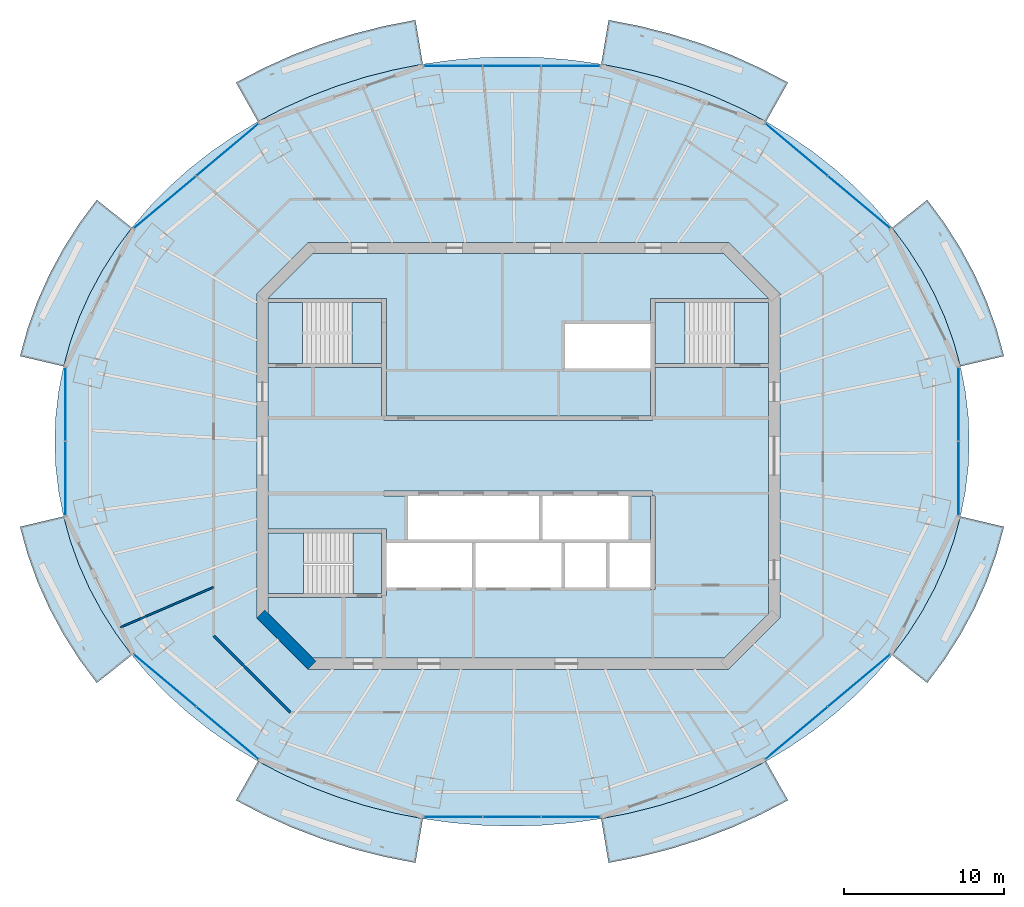
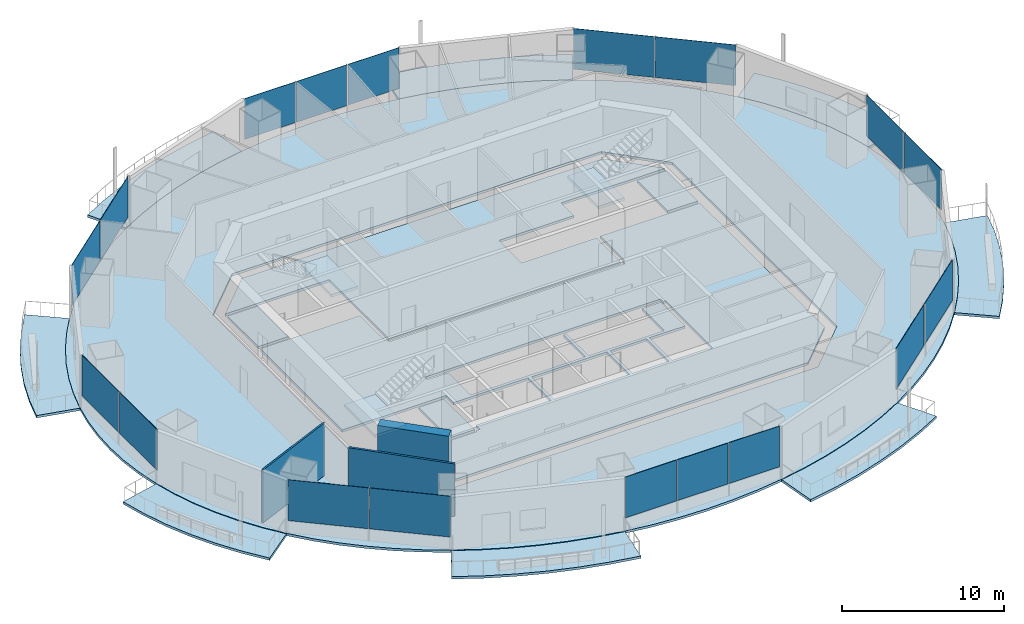
# One storey, part 7 of 16: 18 plates, 17 slabs, 3 walls, 11 elements without a shape of their own.
"""IFC4 building model written with IfcOpenShell, lengths in metres."""

from ifc_helpers import new_model, si_unit, direction, frame, frame_2d, origin, origin_2d, place, context, subcontext, project, spatial, polyline, rectangle, outline, extrude, material, layer, layer_set, type_object, element, aggregate, save


model = new_model("IFC4")

# Units and contexts
model_context = context("Model", 3, precision=1e-05, world=origin(), true_north=direction((0.0, 1.0)))
body_context = subcontext(model_context, "Body", "Model", "MODEL_VIEW")
ifc_project = project(units=[si_unit("LENGTHUNIT", "METRE"), si_unit("AREAUNIT", "SQUARE_METRE"), si_unit("VOLUMEUNIT", "CUBIC_METRE"), si_unit("PLANEANGLEUNIT", "RADIAN"), si_unit("MASSUNIT", "GRAM", prefix="KILO")], contexts=[model_context])

# Site, building, storey
site_placement = place(None, origin())
site = spatial("IfcSite", under=ifc_project, at=site_placement, CompositionType="ELEMENT")
building_placement = place(site_placement, origin())
building = spatial("IfcBuilding", under=site, at=building_placement, Name="Marenthal Gate Tower", CompositionType="ELEMENT")
storey_placement = place(building_placement, frame((0.0, 0.0, 296.949951171875)))
storey = spatial("IfcBuildingStorey", under=building, at=storey_placement, Name="L66", CompositionType="ELEMENT", Elevation=296.949951171875)

# Slabs
ifc_material_1 = material(Name="Concrete 40 MPa", Category="concrete")
ifc_layer_1 = layer(ifc_material_1, 0.179931640625)
ifc_layer_set_1 = layer_set([ifc_layer_1], Name="Balcony deck 180")
slab_type_1 = type_object("IfcSlabType", Name="Balcony deck 180", PredefinedType="USERDEFINED", material=ifc_layer_set_1)
slab_1_placement = place(storey_placement, frame((0.0, 0.0, -0.219970703125)))
element("IfcSlab", 1, at=slab_1_placement, inside=storey, type_object=slab_type_1, Name="Balcony deck L66 bay 1", ObjectType="BALCONY", PredefinedType="USERDEFINED", context=body_context, shape_type="SweptSolid", body=[
    extrude(outline(polyline([(27.646484375, 5.593505859375), (27.2216796875, 7.126708984375), (26.678466796875, 8.63330078125), (26.019287109375, 10.106689453125), (25.2470703125, 11.54052734375), (24.364990234375, 12.928955078125), (23.376708984375, 14.265869140625), (25.5693359375, 16.00732421875), (26.673583984375, 14.513427734375), (27.66259765625, 12.95654296875), (28.53125, 11.343505859375), (29.27490234375, 9.680908203125), (29.8896484375, 7.976318359375), (30.371337890625, 6.23779296875), (27.646484375, 5.593505859375)])), origin(), (0.0, 0.0, 1.0), 0.179931640625),
])
slab_2_placement = place(storey_placement, frame((0.0, 0.0, -0.219970703125)))
element("IfcSlab", 2, at=slab_2_placement, inside=storey, type_object=slab_type_1, Name="Balcony deck L66 bay 3", ObjectType="BALCONY", PredefinedType="USERDEFINED", context=body_context, shape_type="SweptSolid", body=[
    extrude(outline(polyline([(15.487060546875, 20.903564453125), (13.89794921875, 21.73486328125), (12.247802734375, 22.47705078125), (10.543212890625, 23.126708984375), (8.7919921875, 23.68115234375), (7.001220703125, 24.13818359375), (5.1787109375, 24.49560546875), (5.640869140625, 27.25732421875), (7.616943359375, 26.86962890625), (9.560791015625, 26.37353515625), (11.464599609375, 25.770751953125), (13.32080078125, 25.063232421875), (15.121337890625, 24.25341796875), (16.859130859375, 23.34423828125), (15.487060546875, 20.903564453125)])), origin(), (0.0, 0.0, 1.0), 0.179931640625),
])
slab_3_placement = place(storey_placement, frame((0.0, 0.0, -0.219970703125)))
element("IfcSlab", 3, at=slab_3_placement, inside=storey, type_object=slab_type_1, Name="Balcony deck L66 bay 5", ObjectType="BALCONY", PredefinedType="USERDEFINED", context=body_context, shape_type="SweptSolid", body=[
    extrude(outline(polyline([(-5.978759765625, 24.49560546875), (-7.80126953125, 24.13818359375), (-9.591796875, 23.68115234375), (-11.34326171875, 23.126708984375), (-13.047607421875, 22.47705078125), (-14.697998046875, 21.73486328125), (-16.287109375, 20.903564453125), (-17.6591796875, 23.34423828125), (-15.92138671875, 24.25341796875), (-14.12060546875, 25.063232421875), (-12.2646484375, 25.770751953125), (-10.36083984375, 26.37353515625), (-8.4169921875, 26.86962890625), (-6.44091796875, 27.25732421875), (-5.978759765625, 24.49560546875)])), origin(), (0.0, 0.0, 1.0), 0.179931640625),
])
slab_4_placement = place(storey_placement, frame((0.0, 0.0, -0.219970703125)))
element("IfcSlab", 4, at=slab_4_placement, inside=storey, type_object=slab_type_1, Name="Balcony deck L66 bay 7", ObjectType="BALCONY", PredefinedType="USERDEFINED", context=body_context, shape_type="SweptSolid", body=[
    extrude(outline(polyline([(-24.1767578125, 14.265869140625), (-25.164794921875, 12.928955078125), (-26.047119140625, 11.54052734375), (-26.8193359375, 10.106689453125), (-27.478515625, 8.63330078125), (-28.021484375, 7.126708984375), (-28.446533203125, 5.593505859375), (-31.17138671875, 6.23779296875), (-30.689453125, 7.976318359375), (-30.074951171875, 9.680908203125), (-29.331298828125, 11.343505859375), (-28.462646484375, 12.95654296875), (-27.4736328125, 14.513427734375), (-26.369384765625, 16.00732421875), (-24.1767578125, 14.265869140625)])), origin(), (0.0, 0.0, 1.0), 0.179931640625),
])
slab_5_placement = place(storey_placement, frame((0.0, 0.0, -0.219970703125)))
element("IfcSlab", 5, at=slab_5_placement, inside=storey, type_object=slab_type_1, Name="Balcony deck L66 bay 9", ObjectType="BALCONY", PredefinedType="USERDEFINED", context=body_context, shape_type="SweptSolid", body=[
    extrude(outline(polyline([(-28.446533203125, -3.79345703125), (-28.021484375, -5.32666015625), (-27.478515625, -6.833251953125), (-26.8193359375, -8.306640625), (-26.047119140625, -9.740478515625), (-25.164794921875, -11.12890625), (-24.1767578125, -12.4658203125), (-26.369384765625, -14.207275390625), (-27.4736328125, -12.71337890625), (-28.462646484375, -11.156494140625), (-29.331298828125, -9.54345703125), (-30.074951171875, -7.880859375), (-30.689453125, -6.176513671875), (-31.17138671875, -4.437744140625), (-28.446533203125, -3.79345703125)])), origin(), (0.0, 0.0, 1.0), 0.179931640625),
])
slab_6_placement = place(storey_placement, frame((0.0, 0.0, -0.219970703125)))
element("IfcSlab", 6, at=slab_6_placement, inside=storey, type_object=slab_type_1, Name="Balcony deck L66 bay 11", ObjectType="BALCONY", PredefinedType="USERDEFINED", context=body_context, shape_type="SweptSolid", body=[
    extrude(outline(polyline([(-16.287109375, -19.103515625), (-14.697998046875, -19.934814453125), (-13.047607421875, -20.677001953125), (-11.34326171875, -21.32666015625), (-9.591796875, -21.881103515625), (-7.80126953125, -22.338134765625), (-5.978759765625, -22.69580078125), (-6.44091796875, -25.457275390625), (-8.4169921875, -25.069580078125), (-10.36083984375, -24.573486328125), (-12.2646484375, -23.970703125), (-14.12060546875, -23.26318359375), (-15.92138671875, -22.453369140625), (-17.6591796875, -21.544189453125), (-16.287109375, -19.103515625)])), origin(), (0.0, 0.0, 1.0), 0.179931640625),
])
slab_7_placement = place(storey_placement, frame((0.0, 0.0, -0.219970703125)))
element("IfcSlab", 7, at=slab_7_placement, inside=storey, type_object=slab_type_1, Name="Balcony deck L66 bay 13", ObjectType="BALCONY", PredefinedType="USERDEFINED", context=body_context, shape_type="SweptSolid", body=[
    extrude(outline(polyline([(5.1787109375, -22.69580078125), (7.001220703125, -22.338134765625), (8.7919921875, -21.881103515625), (10.543212890625, -21.32666015625), (12.247802734375, -20.677001953125), (13.89794921875, -19.934814453125), (15.487060546875, -19.103515625), (16.859130859375, -21.544189453125), (15.121337890625, -22.453369140625), (13.32080078125, -23.26318359375), (11.464599609375, -23.970703125), (9.560791015625, -24.573486328125), (7.616943359375, -25.069580078125), (5.640869140625, -25.457275390625), (5.1787109375, -22.69580078125)])), origin(), (0.0, 0.0, 1.0), 0.179931640625),
])
slab_8_placement = place(storey_placement, frame((0.0, 0.0, -0.219970703125)))
element("IfcSlab", 8, at=slab_8_placement, inside=storey, type_object=slab_type_1, Name="Balcony deck L66 bay 15", ObjectType="BALCONY", PredefinedType="USERDEFINED", context=body_context, shape_type="SweptSolid", body=[
    extrude(outline(polyline([(23.376708984375, -12.4658203125), (24.364990234375, -11.12890625), (25.2470703125, -9.740478515625), (26.019287109375, -8.306640625), (26.678466796875, -6.833251953125), (27.2216796875, -5.32666015625), (27.646484375, -3.79345703125), (30.371337890625, -4.437744140625), (29.8896484375, -6.176513671875), (29.27490234375, -7.880859375), (28.53125, -9.54345703125), (27.66259765625, -11.156494140625), (26.673583984375, -12.71337890625), (25.5693359375, -14.207275390625), (23.376708984375, -12.4658203125)])), origin(), (0.0, 0.0, 1.0), 0.179931640625),
])
ifc_material_2 = material(Name="Concrete 50 MPa", Category="concrete")
ifc_layer_2 = layer(ifc_material_2, 0.179931640625)
ifc_layer_set_2 = layer_set([ifc_layer_2], Name="Core floor slab 180")
slab_type_2 = type_object("IfcSlabType", Name="Core floor slab 180", PredefinedType="FLOOR", material=ifc_layer_set_2)
slab_9_placement = place(storey_placement, frame((0.0, 0.0, -0.179931640625)))
element("IfcSlab", 9, at=slab_9_placement, inside=storey, type_object=slab_type_2, Name="Core floor L66", PredefinedType="FLOOR", context=body_context, shape_type="SweptSolid", body=[
    extrude(outline(polyline([(12.85498046875, -12.64990234375), (-12.85498046875, -12.64990234375), (-15.64990234375, -9.85498046875), (-15.64990234375, -8.875), (-8.550048828125, -8.875), (-8.550048828125, -8.75), (-8.25, -8.75), (-8.25, -8.239990234375), (-5.60009765625, -8.239990234375), (-2.909912109375, -8.239990234375), (-2.909912109375, -5.4599609375), (-5.60009765625, -5.4599609375), (-8.25, -5.4599609375), (-8.25, -4.574951171875), (-8.550048828125, -4.574951171875), (-15.64990234375, -4.574951171875), (-15.64990234375, 5.52490234375), (-8.550048828125, 5.52490234375), (-8.550048828125, 2.5), (-8.39990234375, 2.5), (-8.39990234375, 2.199951171875), (8.39990234375, 2.199951171875), (8.39990234375, 2.5), (8.550048828125, 2.5), (8.550048828125, 5.52490234375), (15.64990234375, 5.52490234375), (15.64990234375, -9.85498046875), (12.85498046875, -12.64990234375)]), holes=[polyline([(0.0, -8.239990234375), (2.68994140625, -8.239990234375), (2.68994140625, -5.4599609375), (0.0, -5.4599609375), (-2.68994140625, -5.4599609375), (-2.68994140625, -8.239990234375), (0.0, -8.239990234375)]), polyline([(1.2900390625, -5.239990234375), (1.2900390625, -2.5), (1.510009765625, -2.5), (1.510009765625, -5.239990234375), (4.199951171875, -5.239990234375), (6.889892578125, -5.239990234375), (6.889892578125, -2.5), (8.25, -2.5), (8.25, -5.4599609375), (5.7099609375, -5.4599609375), (5.7099609375, -8.239990234375), (8.25, -8.239990234375), (8.25, -8.35009765625), (8.550048828125, -8.35009765625), (8.550048828125, -2.5), (8.39990234375, -2.5), (8.39990234375, -2.199951171875), (-8.39990234375, -2.199951171875), (-8.39990234375, -2.5), (-6.889892578125, -2.5), (-6.889892578125, -5.239990234375), (-4.199951171875, -5.239990234375), (-1.39990234375, -5.239990234375), (1.2900390625, -5.239990234375)]), polyline([(5.489990234375, -5.4599609375), (2.909912109375, -5.4599609375), (2.909912109375, -8.239990234375), (5.489990234375, -8.239990234375), (5.489990234375, -5.4599609375)])]), origin(), (0.0, 0.0, 1.0), 0.179931640625),
])
slab_10_placement = place(storey_placement, frame((0.0, 0.0, -0.179931640625)))
element("IfcSlab", 10, at=slab_10_placement, inside=storey, type_object=slab_type_2, Name="Core floor L66", PredefinedType="FLOOR", context=body_context, shape_type="SweptSolid", body=[
    extrude(outline(polyline([(15.64990234375, 5.77490234375), (13.5, 5.77490234375), (13.5, 9.574951171875), (15.64990234375, 9.574951171875), (15.64990234375, 5.77490234375)])), origin(), (0.0, 0.0, 1.0), 0.179931640625),
])
slab_11_placement = place(storey_placement, frame((0.0, 0.0, -0.179931640625)))
element("IfcSlab", 11, at=slab_11_placement, inside=storey, type_object=slab_type_2, Name="Core floor L66", PredefinedType="FLOOR", context=body_context, shape_type="SweptSolid", body=[
    extrude(outline(polyline([(15.64990234375, 9.824951171875), (8.550048828125, 9.824951171875), (8.25, 9.824951171875), (8.25, 8.35009765625), (8.25, 8.239990234375), (5.60009765625, 8.239990234375), (2.909912109375, 8.239990234375), (2.909912109375, 5.4599609375), (5.60009765625, 5.4599609375), (8.25, 5.4599609375), (8.25, 2.5), (-8.25, 2.5), (-8.25, 8.35009765625), (-8.25, 9.824951171875), (-8.550048828125, 9.824951171875), (-15.64990234375, 9.824951171875), (-15.64990234375, 9.85498046875), (-12.85498046875, 12.64990234375), (12.85498046875, 12.64990234375), (15.64990234375, 9.85498046875), (15.64990234375, 9.824951171875)])), origin(), (0.0, 0.0, 1.0), 0.179931640625),
])
slab_12_placement = place(storey_placement, frame((0.0, 0.0, -0.179931640625)))
element("IfcSlab", 12, at=slab_12_placement, inside=storey, type_object=slab_type_2, Name="Core floor L66", PredefinedType="FLOOR", context=body_context, shape_type="SweptSolid", body=[
    extrude(outline(polyline([(-15.64990234375, 9.574951171875), (-13.5, 9.574951171875), (-13.5, 5.77490234375), (-15.64990234375, 5.77490234375), (-15.64990234375, 9.574951171875)])), origin(), (0.0, 0.0, 1.0), 0.179931640625),
])
slab_13_placement = place(storey_placement, frame((0.0, 0.0, -0.179931640625)))
element("IfcSlab", 13, at=slab_13_placement, inside=storey, type_object=slab_type_2, Name="Core floor L66", PredefinedType="FLOOR", context=body_context, shape_type="SweptSolid", body=[
    extrude(outline(polyline([(-8.550048828125, -4.824951171875), (-8.550048828125, -8.625), (-10.35009765625, -8.625), (-10.35009765625, -4.824951171875), (-8.550048828125, -4.824951171875)])), origin(), (0.0, 0.0, 1.0), 0.179931640625),
])
ifc_material_3 = material(Name="Concrete 35 MPa", Category="concrete")
ifc_layer_3 = layer(ifc_material_3, 0.179931640625)
ifc_layer_set_3 = layer_set([ifc_layer_3], Name="Floor slab 180")
slab_type_3 = type_object("IfcSlabType", Name="Floor slab 180", PredefinedType="FLOOR", material=ifc_layer_set_3)
slab_14_placement = place(storey_placement, frame((0.0, 0.0, -0.179931640625)))
element("IfcSlab", 14, at=slab_14_placement, inside=storey, type_object=slab_type_3, Name="SL-L66-01", PredefinedType="FLOOR", context=body_context, shape_type="SweptSolid", body=[
    extrude(outline(polyline([(28.196044921875, 0.89990234375), (28.134765625, 2.473388671875), (27.951416015625, 4.040283203125), (27.646484375, 5.593505859375), (27.2216796875, 7.126708984375), (26.678466796875, 8.63330078125), (26.019287109375, 10.106689453125), (25.2470703125, 11.54052734375), (24.364990234375, 12.928955078125), (23.376708984375, 14.265869140625), (22.28662109375, 15.545654296875), (21.099609375, 16.762451171875), (19.8203125, 17.91162109375), (18.45458984375, 18.98779296875), (17.008056640625, 19.986572265625), (15.487060546875, 20.903564453125), (13.89794921875, 21.73486328125), (12.247802734375, 22.47705078125), (10.543212890625, 23.126708984375), (8.7919921875, 23.68115234375), (7.001220703125, 24.13818359375), (5.1787109375, 24.49560546875), (3.33251953125, 24.752197265625), (1.47021484375, 24.906494140625), (-0.39990234375, 24.9580078125), (-2.270263671875, 24.906494140625), (-4.132568359375, 24.752197265625), (-5.978759765625, 24.49560546875), (-7.80126953125, 24.13818359375), (-9.591796875, 23.68115234375), (-11.34326171875, 23.126708984375), (-13.047607421875, 22.47705078125), (-14.697998046875, 21.73486328125), (-16.287109375, 20.903564453125), (-17.80810546875, 19.986572265625), (-19.254638671875, 18.98779296875), (-20.620361328125, 17.91162109375), (-21.899658203125, 16.762451171875), (-23.086669921875, 15.545654296875), (-24.1767578125, 14.265869140625), (-25.164794921875, 12.928955078125), (-26.047119140625, 11.54052734375), (-26.8193359375, 10.106689453125), (-27.478515625, 8.63330078125), (-28.021484375, 7.126708984375), (-28.446533203125, 5.593505859375), (-28.75146484375, 4.040283203125), (-28.934814453125, 2.473388671875), (-28.99609375, 0.89990234375), (-28.934814453125, -0.673583984375), (-28.75146484375, -2.240234375), (-28.446533203125, -3.79345703125), (-28.021484375, -5.32666015625), (-27.478515625, -6.833251953125), (-26.8193359375, -8.306640625), (-26.047119140625, -9.740478515625), (-25.164794921875, -11.12890625), (-24.1767578125, -12.4658203125), (-23.086669921875, -13.74560546875), (-21.899658203125, -14.96240234375), (-20.620361328125, -16.111572265625), (-19.254638671875, -17.187744140625), (-17.80810546875, -18.1865234375), (-16.287109375, -19.103515625), (-14.697998046875, -19.934814453125), (-13.047607421875, -20.677001953125), (-11.34326171875, -21.32666015625), (-9.591796875, -21.881103515625), (-7.80126953125, -22.338134765625), (-5.978759765625, -22.69580078125), (-4.132568359375, -22.9521484375), (-2.270263671875, -23.1064453125), (-0.39990234375, -23.157958984375), (1.47021484375, -23.1064453125), (3.33251953125, -22.9521484375), (5.1787109375, -22.69580078125), (7.001220703125, -22.338134765625), (8.7919921875, -21.881103515625), (10.543212890625, -21.32666015625), (12.247802734375, -20.677001953125), (13.89794921875, -19.934814453125), (15.487060546875, -19.103515625), (17.008056640625, -18.1865234375), (18.45458984375, -17.187744140625), (19.8203125, -16.111572265625), (21.099609375, -14.96240234375), (22.28662109375, -13.74560546875), (23.376708984375, -12.4658203125), (24.364990234375, -11.12890625), (25.2470703125, -9.740478515625), (26.019287109375, -8.306640625), (26.678466796875, -6.833251953125), (27.2216796875, -5.32666015625), (27.646484375, -3.79345703125), (27.951416015625, -2.240234375), (28.134765625, -0.673583984375), (28.196044921875, 0.89990234375)]), holes=[polyline([(13.14501953125, -13.35009765625), (16.35009765625, -10.14501953125), (16.35009765625, 10.14501953125), (13.14501953125, 13.35009765625), (-13.14501953125, 13.35009765625), (-16.35009765625, 10.14501953125), (-16.35009765625, -10.14501953125), (-13.14501953125, -13.35009765625), (13.14501953125, -13.35009765625)])]), origin(), (0.0, 0.0, 1.0), 0.179931640625),
])

# Curtain wall, plates
ifc_material_4 = material(Name="Aluminium and glass", Category="aluminium")
curtain_wall_type = type_object("IfcCurtainWallType", Name="Curtain wall typical high", PredefinedType="NOTDEFINED", material=ifc_material_4)
curtain_wall_1_placement = place(storey_placement, origin())
curtain_wall_1 = element("IfcCurtainWall", 15, at=curtain_wall_1_placement, inside=storey, type_object=curtain_wall_type, Name="Curtain wall L66 bay 2", PredefinedType="NOTDEFINED")
ifc_material_5 = material(Name="Glass, laminated insulating unit", Category="glass")
ifc_layer_4 = layer(ifc_material_5, 0.031982421875)
ifc_layer_set_4 = layer_set([ifc_layer_4], Name="Glass panel 32 typical high")
plate_type = type_object("IfcPlateType", Name="Glass panel 32 typical high", PredefinedType="CURTAIN_PANEL", material=ifc_layer_set_4)
plate_1_placement = place(storey_placement, frame((21.30126953125, 15.860107421875, 0.89990234375), z_axis=(0.0, 0.0, 1.0), x_axis=(-0.765462970905, 0.643479945432, 0.0)))
plate_1 = element("IfcPlate", 16, at=plate_1_placement, type_object=plate_type, Name="Glass panel L66 bay 2.1", PredefinedType="CURTAIN_PANEL", context=body_context, shape_type="SweptSolid", body=[
    extrude(rectangle(XDim=5.0419921875, YDim=0.031982421875, at=origin_2d()), origin(), (0.0, 0.0, 1.0), 3.070068359375),
])
plate_2_placement = place(storey_placement, frame((17.39599609375, 19.142822265625, 0.89990234375), z_axis=(0.0, 0.0, 1.0), x_axis=(-0.765462970905, 0.643479945432, 0.0)))
plate_2 = element("IfcPlate", 17, at=plate_2_placement, type_object=plate_type, Name="Glass panel L66 bay 2.2", PredefinedType="CURTAIN_PANEL", context=body_context, shape_type="SweptSolid", body=[
    extrude(rectangle(XDim=5.041748046875, YDim=0.031982421875, at=origin_2d()), origin(), (0.0, 0.0, 1.0), 3.070068359375),
])
aggregate(curtain_wall_1, [plate_1, plate_2])

curtain_wall_2_placement = place(storey_placement, origin())
curtain_wall_2 = element("IfcCurtainWall", 18, at=curtain_wall_2_placement, inside=storey, type_object=curtain_wall_type, Name="Curtain wall L66 bay 4", PredefinedType="NOTDEFINED")
plate_3_placement = place(storey_placement, frame((3.28369140625, 24.3779296875, 0.89990234375), z_axis=(0.0, 0.0, 1.0), x_axis=(-1.0, 0.0, 0.0)))
plate_3 = element("IfcPlate", 19, at=plate_3_placement, type_object=plate_type, Name="Glass panel L66 bay 4.1", PredefinedType="CURTAIN_PANEL", context=body_context, shape_type="SweptSolid", body=[
    extrude(rectangle(XDim=3.62353515625, YDim=0.031982421875, at=origin_2d()), origin(), (0.0, 0.0, 1.0), 3.070068359375),
])
plate_4_placement = place(storey_placement, frame((-0.39990234375, 24.3779296875, 0.89990234375), z_axis=(0.0, 0.0, 1.0), x_axis=(-1.0, 0.0, 0.0)))
plate_4 = element("IfcPlate", 20, at=plate_4_placement, type_object=plate_type, Name="Glass panel L66 bay 4.2", PredefinedType="CURTAIN_PANEL", context=body_context, shape_type="SweptSolid", body=[
    extrude(rectangle(XDim=3.62353515625, YDim=0.031982421875, at=origin_2d()), origin(), (0.0, 0.0, 1.0), 3.070068359375),
])
plate_5_placement = place(storey_placement, frame((-4.08349609375, 24.3779296875, 0.89990234375), z_axis=(0.0, 0.0, 1.0), x_axis=(-1.0, 0.0, 0.0)))
plate_5 = element("IfcPlate", 21, at=plate_5_placement, type_object=plate_type, Name="Glass panel L66 bay 4.3", PredefinedType="CURTAIN_PANEL", context=body_context, shape_type="SweptSolid", body=[
    extrude(rectangle(XDim=3.62353515625, YDim=0.031982421875, at=origin_2d()), origin(), (0.0, 0.0, 1.0), 3.070068359375),
])
aggregate(curtain_wall_2, [plate_3, plate_4, plate_5])

curtain_wall_3_placement = place(storey_placement, origin())
curtain_wall_3 = element("IfcCurtainWall", 22, at=curtain_wall_3_placement, inside=storey, type_object=curtain_wall_type, Name="Curtain wall L66 bay 6", PredefinedType="NOTDEFINED")
plate_6_placement = place(storey_placement, frame((-18.196044921875, 19.142822265625, 0.89990234375), z_axis=(0.0, 0.0, 1.0), x_axis=(-0.765462970905, -0.643479945432, 0.0)))
plate_6 = element("IfcPlate", 23, at=plate_6_placement, type_object=plate_type, Name="Glass panel L66 bay 6.1", PredefinedType="CURTAIN_PANEL", context=body_context, shape_type="SweptSolid", body=[
    extrude(rectangle(XDim=5.0419921875, YDim=0.031982421875, at=origin_2d()), origin(), (0.0, 0.0, 1.0), 3.070068359375),
])
plate_7_placement = place(storey_placement, frame((-22.101318359375, 15.85986328125, 0.89990234375), z_axis=(0.0, 0.0, 1.0), x_axis=(-0.765462970905, -0.643479945432, 0.0)))
plate_7 = element("IfcPlate", 24, at=plate_7_placement, type_object=plate_type, Name="Glass panel L66 bay 6.2", PredefinedType="CURTAIN_PANEL", context=body_context, shape_type="SweptSolid", body=[
    extrude(rectangle(XDim=5.041748046875, YDim=0.031982421875, at=origin_2d()), origin(), (0.0, 0.0, 1.0), 3.070068359375),
])
aggregate(curtain_wall_3, [plate_6, plate_7])

curtain_wall_4_placement = place(storey_placement, origin())
curtain_wall_4 = element("IfcCurtainWall", 25, at=curtain_wall_4_placement, inside=storey, type_object=curtain_wall_type, Name="Curtain wall L66 bay 8", PredefinedType="NOTDEFINED")
plate_8_placement = place(storey_placement, frame((-28.328857421875, 3.219970703125, 0.89990234375), z_axis=(0.0, 0.0, 1.0), x_axis=(0.0, -1.0, 0.0)))
plate_8 = element("IfcPlate", 26, at=plate_8_placement, type_object=plate_type, Name="Glass panel L66 bay 8.1", PredefinedType="CURTAIN_PANEL", context=body_context, shape_type="SweptSolid", body=[
    extrude(rectangle(XDim=4.580078125, YDim=0.031982421875, at=origin_2d()), origin(), (0.0, 0.0, 1.0), 3.070068359375),
])
plate_9_placement = place(storey_placement, frame((-28.328857421875, -1.420166015625, 0.89990234375), z_axis=(0.0, 0.0, 1.0), x_axis=(0.0, -1.0, 0.0)))
plate_9 = element("IfcPlate", 27, at=plate_9_placement, type_object=plate_type, Name="Glass panel L66 bay 8.2", PredefinedType="CURTAIN_PANEL", context=body_context, shape_type="SweptSolid", body=[
    extrude(rectangle(XDim=4.580078125, YDim=0.031982421875, at=origin_2d()), origin(), (0.0, 0.0, 1.0), 3.070068359375),
])
aggregate(curtain_wall_4, [plate_8, plate_9])

curtain_wall_5_placement = place(storey_placement, origin())
curtain_wall_5 = element("IfcCurtainWall", 28, at=curtain_wall_5_placement, inside=storey, type_object=curtain_wall_type, Name="Curtain wall L66 bay 10", PredefinedType="NOTDEFINED")
plate_10_placement = place(storey_placement, frame((-22.101318359375, -14.06005859375, 0.89990234375), z_axis=(0.0, 0.0, 1.0), x_axis=(0.765462970905, -0.643479945432, 0.0)))
plate_10 = element("IfcPlate", 29, at=plate_10_placement, type_object=plate_type, Name="Glass panel L66 bay 10.1", PredefinedType="CURTAIN_PANEL", context=body_context, shape_type="SweptSolid", body=[
    extrude(rectangle(XDim=5.0419921875, YDim=0.031982421875, at=origin_2d()), origin(), (0.0, 0.0, 1.0), 3.070068359375),
])
plate_11_placement = place(storey_placement, frame((-18.196044921875, -17.343017578125, 0.89990234375), z_axis=(0.0, 0.0, 1.0), x_axis=(0.765462970905, -0.643479945432, 0.0)))
plate_11 = element("IfcPlate", 30, at=plate_11_placement, type_object=plate_type, Name="Glass panel L66 bay 10.2", PredefinedType="CURTAIN_PANEL", context=body_context, shape_type="SweptSolid", body=[
    extrude(rectangle(XDim=5.041748046875, YDim=0.031982421875, at=origin_2d()), origin(), (0.0, 0.0, 1.0), 3.070068359375),
])
aggregate(curtain_wall_5, [plate_10, plate_11])

curtain_wall_6_placement = place(storey_placement, origin())
curtain_wall_6 = element("IfcCurtainWall", 31, at=curtain_wall_6_placement, inside=storey, type_object=curtain_wall_type, Name="Curtain wall L66 bay 12", PredefinedType="NOTDEFINED")
plate_12_placement = place(storey_placement, frame((-4.08349609375, -22.577880859375, 0.89990234375), z_axis=(0.0, 0.0, 1.0), x_axis=(1.0, 0.0, 0.0)))
plate_12 = element("IfcPlate", 32, at=plate_12_placement, type_object=plate_type, Name="Glass panel L66 bay 12.1", PredefinedType="CURTAIN_PANEL", context=body_context, shape_type="SweptSolid", body=[
    extrude(rectangle(XDim=3.62353515625, YDim=0.031982421875, at=origin_2d()), origin(), (0.0, 0.0, 1.0), 3.070068359375),
])
plate_13_placement = place(storey_placement, frame((-0.39990234375, -22.577880859375, 0.89990234375), z_axis=(0.0, 0.0, 1.0), x_axis=(1.0, 0.0, 0.0)))
plate_13 = element("IfcPlate", 33, at=plate_13_placement, type_object=plate_type, Name="Glass panel L66 bay 12.2", PredefinedType="CURTAIN_PANEL", context=body_context, shape_type="SweptSolid", body=[
    extrude(rectangle(XDim=3.62353515625, YDim=0.031982421875, at=origin_2d()), origin(), (0.0, 0.0, 1.0), 3.070068359375),
])
plate_14_placement = place(storey_placement, frame((3.28369140625, -22.577880859375, 0.89990234375), z_axis=(0.0, 0.0, 1.0), x_axis=(1.0, 0.0, 0.0)))
plate_14 = element("IfcPlate", 34, at=plate_14_placement, type_object=plate_type, Name="Glass panel L66 bay 12.3", PredefinedType="CURTAIN_PANEL", context=body_context, shape_type="SweptSolid", body=[
    extrude(rectangle(XDim=3.62353515625, YDim=0.031982421875, at=origin_2d()), origin(), (0.0, 0.0, 1.0), 3.070068359375),
])
aggregate(curtain_wall_6, [plate_12, plate_13, plate_14])

curtain_wall_7_placement = place(storey_placement, origin())
curtain_wall_7 = element("IfcCurtainWall", 35, at=curtain_wall_7_placement, inside=storey, type_object=curtain_wall_type, Name="Curtain wall L66 bay 14", PredefinedType="NOTDEFINED")
plate_15_placement = place(storey_placement, frame((17.39599609375, -17.343017578125, 0.89990234375), z_axis=(0.0, 0.0, 1.0), x_axis=(0.765462970905, 0.643479945432, 0.0)))
plate_15 = element("IfcPlate", 36, at=plate_15_placement, type_object=plate_type, Name="Glass panel L66 bay 14.1", PredefinedType="CURTAIN_PANEL", context=body_context, shape_type="SweptSolid", body=[
    extrude(rectangle(XDim=5.0419921875, YDim=0.031982421875, at=origin_2d()), origin(), (0.0, 0.0, 1.0), 3.070068359375),
])
plate_16_placement = place(storey_placement, frame((21.30126953125, -14.06005859375, 0.89990234375), z_axis=(0.0, 0.0, 1.0), x_axis=(0.765462970905, 0.643479945432, 0.0)))
plate_16 = element("IfcPlate", 37, at=plate_16_placement, type_object=plate_type, Name="Glass panel L66 bay 14.2", PredefinedType="CURTAIN_PANEL", context=body_context, shape_type="SweptSolid", body=[
    extrude(rectangle(XDim=5.041748046875, YDim=0.031982421875, at=origin_2d()), origin(), (0.0, 0.0, 1.0), 3.070068359375),
])
aggregate(curtain_wall_7, [plate_15, plate_16])

curtain_wall_8_placement = place(storey_placement, origin())
curtain_wall_8 = element("IfcCurtainWall", 38, at=curtain_wall_8_placement, inside=storey, type_object=curtain_wall_type, Name="Curtain wall L66 bay 16", PredefinedType="NOTDEFINED")
plate_17_placement = place(storey_placement, frame((27.52880859375, -1.420166015625, 0.89990234375), z_axis=(0.0, 0.0, 1.0), x_axis=(0.0, 1.0, 0.0)))
plate_17 = element("IfcPlate", 39, at=plate_17_placement, type_object=plate_type, Name="Glass panel L66 bay 16.1", PredefinedType="CURTAIN_PANEL", context=body_context, shape_type="SweptSolid", body=[
    extrude(rectangle(XDim=4.580078125, YDim=0.031982421875, at=origin_2d()), origin(), (0.0, 0.0, 1.0), 3.070068359375),
])
plate_18_placement = place(storey_placement, frame((27.52880859375, 3.219970703125, 0.89990234375), z_axis=(0.0, 0.0, 1.0), x_axis=(0.0, 1.0, 0.0)))
plate_18 = element("IfcPlate", 40, at=plate_18_placement, type_object=plate_type, Name="Glass panel L66 bay 16.2", PredefinedType="CURTAIN_PANEL", context=body_context, shape_type="SweptSolid", body=[
    extrude(rectangle(XDim=4.580078125, YDim=0.031982421875, at=origin_2d()), origin(), (0.0, 0.0, 1.0), 3.070068359375),
])
aggregate(curtain_wall_8, [plate_17, plate_18])

# Stair, slab
ifc_material_6 = material(Name="Concrete 40 MPa", Category="concrete")
stair_type = type_object("IfcStairType", Name="Exit stair 1800", PredefinedType="HALF_TURN_STAIR", material=ifc_material_6)
stair_1_placement = place(storey_placement, origin())
stair_1 = element("IfcStair", 41, at=stair_1_placement, inside=storey, type_object=stair_type, Name="Stair ST1", PredefinedType="HALF_TURN_STAIR")
ifc_material_7 = material(Name="Concrete 40 MPa", Category="concrete")
ifc_layer_5 = layer(ifc_material_7, 0.199951171875)
ifc_layer_set_5 = layer_set([ifc_layer_5], Name="Stair landing 200")
slab_type_4 = type_object("IfcSlabType", Name="Stair landing 200", PredefinedType="LANDING", material=ifc_layer_set_5)
slab_15_placement = place(storey_placement, frame((0.0, 0.0, 1.875)))
slab_15 = element("IfcSlab", 42, at=slab_15_placement, type_object=slab_type_4, Name="ST1 landing 1", PredefinedType="LANDING", context=body_context, shape_type="SweptSolid", body=[
    extrude(outline(polyline([(-10.419921875, 5.77490234375), (-8.550048828125, 5.77490234375), (-8.550048828125, 9.574951171875), (-10.419921875, 9.574951171875), (-10.419921875, 5.77490234375)])), origin(), (0.0, 0.0, 1.0), 0.199951171875),
])
aggregate(stair_1, [slab_15])

stair_2_placement = place(storey_placement, origin())
stair_2 = element("IfcStair", 43, at=stair_2_placement, inside=storey, type_object=stair_type, Name="Stair ST2", PredefinedType="HALF_TURN_STAIR")
slab_16_placement = place(storey_placement, frame((0.0, 0.0, 1.875)))
slab_16 = element("IfcSlab", 44, at=slab_16_placement, type_object=slab_type_4, Name="ST2 landing 1", PredefinedType="LANDING", context=body_context, shape_type="SweptSolid", body=[
    extrude(outline(polyline([(-15.64990234375, -8.625), (-13.429931640625, -8.625), (-13.429931640625, -4.824951171875), (-15.64990234375, -4.824951171875), (-15.64990234375, -8.625)])), origin(), (0.0, 0.0, 1.0), 0.199951171875),
])
aggregate(stair_2, [slab_16])

stair_3_placement = place(storey_placement, origin())
stair_3 = element("IfcStair", 45, at=stair_3_placement, inside=storey, type_object=stair_type, Name="Stair ST3", PredefinedType="HALF_TURN_STAIR")
slab_17_placement = place(storey_placement, frame((0.0, 0.0, 1.875)))
slab_17 = element("IfcSlab", 46, at=slab_17_placement, type_object=slab_type_4, Name="ST3 landing 1", PredefinedType="LANDING", context=body_context, shape_type="SweptSolid", body=[
    extrude(outline(polyline([(8.550048828125, 5.77490234375), (10.419921875, 5.77490234375), (10.419921875, 9.574951171875), (8.550048828125, 9.574951171875), (8.550048828125, 5.77490234375)])), origin(), (0.0, 0.0, 1.0), 0.199951171875),
])
aggregate(stair_3, [slab_17])

# Walls
ifc_material_8 = material(Name="Concrete 60 MPa", Category="concrete")
ifc_layer_6 = layer(ifc_material_8, 0.699951171875)
ifc_layer_set_6 = layer_set([ifc_layer_6], Name="Core shear wall 700")
wall_type_1 = type_object("IfcWallType", Name="Core shear wall 700", PredefinedType="SHEAR", material=ifc_layer_set_6)
wall_1_placement = place(storey_placement, frame((-16.1025390625, -9.8974609375, -0.179931640625), z_axis=(0.0, 0.0, 1.0), x_axis=(0.707106781187, -0.707106781187, 0.0)))
element("IfcWall", 47, at=wall_1_placement, inside=storey, type_object=wall_type_1, Name="Core wall 07", PredefinedType="SHEAR", context=body_context, shape_type="SweptSolid", body=[
    extrude(rectangle(XDim=4.53271484375, YDim=0.699951171875, at=frame_2d((2.266357421875, 0.0))), origin(), (0.0, 0.0, 1.0), 4.14990234375),
])
ifc_material_9 = material(Name="Gypsum board on steel studs", Category="steel")
ifc_layer_7 = layer(ifc_material_9, 0.1201171875)
ifc_layer_set_7 = layer_set([ifc_layer_7], Name="Partition 120")
wall_type_2 = type_object("IfcWallType", Name="Partition 120", PredefinedType="PARTITIONING", material=ifc_layer_set_7)
wall_2_placement = place(storey_placement, frame((-19.050048828125, -8.210205078125, 0.0), z_axis=(0.0, 0.0, 1.0), x_axis=(-0.918342103528, -0.39578754514, 0.0)))
element("IfcWall", 48, at=wall_2_placement, inside=storey, type_object=wall_type_2, Name="Partition wall 53", PredefinedType="PARTITIONING", context=body_context, shape_type="SweptSolid", body=[
    extrude(rectangle(XDim=6.368896484375, YDim=0.1201171875, at=frame_2d((3.1845703125, 0.0))), origin(), (0.0, 0.0, 1.0), 3.969970703125),
])
ifc_material_10 = material(Name="Gypsum board on steel studs", Category="steel")
ifc_layer_8 = layer(ifc_material_10, 0.14990234375)
ifc_layer_set_8 = layer_set([ifc_layer_8], Name="Partition 150")
wall_type_3 = type_object("IfcWallType", Name="Partition 150", PredefinedType="PARTITIONING", material=ifc_layer_set_8)
wall_3_placement = place(storey_placement, frame((-14.263427734375, -16.050048828125, 0.0), z_axis=(0.0, 0.0, 1.0), x_axis=(-0.707106781187, 0.707106781187, 0.0)))
element("IfcWall", 49, at=wall_3_placement, inside=storey, type_object=wall_type_3, Name="Partition wall 56", PredefinedType="PARTITIONING", context=body_context, shape_type="SweptSolid", body=[
    extrude(rectangle(XDim=6.769287109375, YDim=0.14990234375, at=frame_2d((3.384765625, 0.0))), origin(), (0.0, 0.0, 1.0), 3.969970703125),
])

save(model, "model.ifc")
